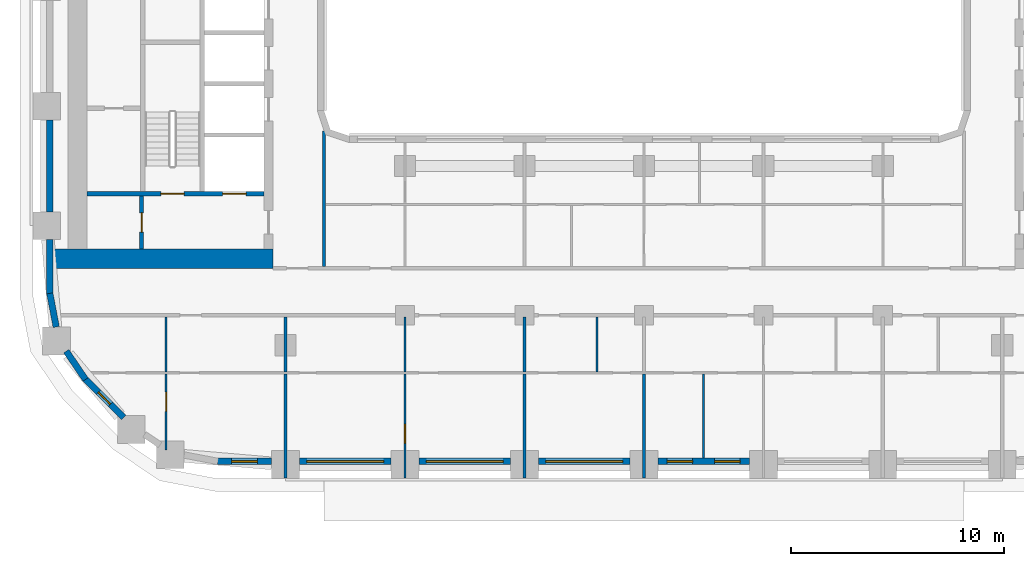
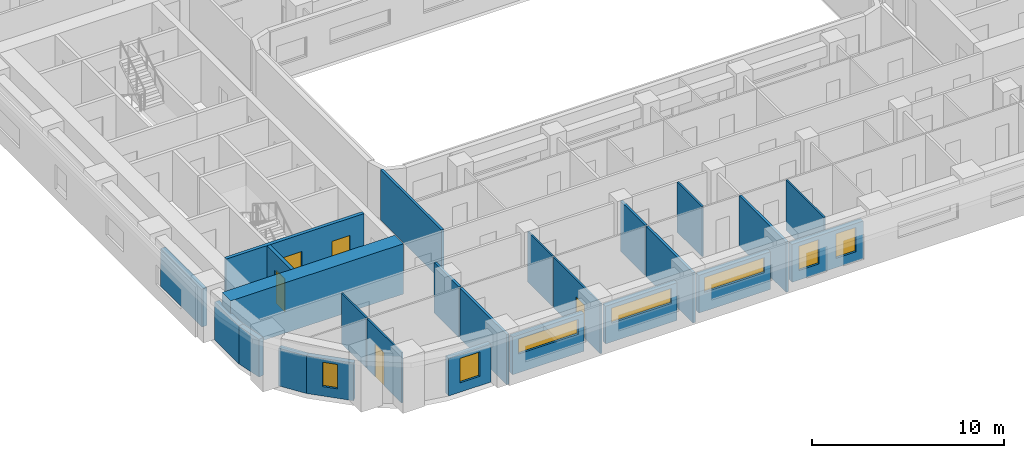
# One storey, part 2 of 21: 25 walls, 7 windows, 5 doors, 12 openings.
"""IFC4 building model written with IfcOpenShell, lengths in metres."""

import ifcopenshell
import ifcopenshell.guid

model = None  # the IFC model being written
_history = None  # IfcOwnerHistory: only IFC2X3 demands one
_inside = {}  # id of a spatial element -> (the spatial element, [elements in it])
_under = {}  # id of a project, library or spatial element -> (it, [spatial elements below it])
_declared = {}  # id of a project -> (the project, [libraries it declares])
_typed = {}  # id of a type object -> (the type object, [elements of that type])
_made_of = {}  # id of a material, layer set ... -> (it, [elements and type objects made of it])


def new_model(schema):
    """Start an empty IFC model of exactly this schema.

    Asked for "IFC4X3", IfcOpenShell would pick the latest addendum, in which some entities
    have other attributes; the version numbers below select the first issue.
    IFC2X3 requires an IfcOwnerHistory on every rooted entity: one is made here for all.
    """
    global model, _history
    if schema == "IFC4X3":
        model = ifcopenshell.file(schema_version=(4, 3, 0, 0))
    else:
        model = ifcopenshell.file(schema=schema)
    _inside.clear()
    _under.clear()
    _declared.clear()
    _typed.clear()
    _made_of.clear()
    _history = None
    if model.schema == "IFC2X3":
        org = make("IfcOrganization", Name="unknown")
        user = make(
            "IfcPersonAndOrganization",
            ThePerson=make("IfcPerson", FamilyName="unknown"),
            TheOrganization=org,
        )
        app = make(
            "IfcApplication",
            ApplicationDeveloper=org,
            Version="unknown",
            ApplicationFullName="unknown",
            ApplicationIdentifier="unknown",
        )
        _history = make(
            "IfcOwnerHistory",
            OwningUser=user,
            OwningApplication=app,
            ChangeAction="ADDED",
            CreationDate=0,
        )
    return model


def make(cls, **values):
    """One entity of the class cls with the attributes given. An attribute that is None is left unset."""
    return model.create_entity(
        cls, **{name: value for name, value in values.items() if value is not None}
    )


def rooted(cls, **values):
    """An entity with a GlobalId (a new one), such as an element, a storey or a relation."""
    return make(cls, GlobalId=ifcopenshell.guid.new(), OwnerHistory=_history, **values)


def si_unit(unit_type, name, prefix=None):
    """IfcSIUnit, for example si_unit("LENGTHUNIT", "METRE", prefix="MILLI")."""
    return make("IfcSIUnit", UnitType=unit_type, Prefix=prefix, Name=name)


def assignment(units):
    """IfcUnitAssignment: the units of a project."""
    return None if units is None else make("IfcUnitAssignment", Units=units)


def point(xyz):
    """IfcCartesianPoint."""
    return None if xyz is None else make("IfcCartesianPoint", Coordinates=xyz)


def direction(xyz):
    """IfcDirection."""
    return None if xyz is None else make("IfcDirection", DirectionRatios=xyz)


def frame(location, z_axis=None, x_axis=None):
    """IfcAxis2Placement3D, a coordinate frame: its origin and axes. An axis left out is left unset."""
    return make(
        "IfcAxis2Placement3D",
        Location=point(location),
        Axis=direction(z_axis),
        RefDirection=direction(x_axis),
    )


def frame_2d(location, x_axis=None):
    """IfcAxis2Placement2D, a coordinate frame in the plane: its origin and x axis."""
    return make(
        "IfcAxis2Placement2D", Location=point(location), RefDirection=direction(x_axis)
    )


def origin():
    """The frame at (0, 0, 0) with its axes left unset."""
    return frame((0.0, 0.0, 0.0))


def place(relative_to, where):
    """IfcLocalPlacement: puts the frame where relative to a parent placement (None: the world)."""
    return make(
        "IfcLocalPlacement", PlacementRelTo=relative_to, RelativePlacement=where
    )


def context(
    kind, dimensions, precision=None, world=None, true_north=None, identifier=None
):
    """IfcGeometricRepresentationContext, for example the 3D "Model" context."""
    return make(
        "IfcGeometricRepresentationContext",
        ContextIdentifier=identifier,
        ContextType=kind,
        CoordinateSpaceDimension=dimensions,
        Precision=precision,
        WorldCoordinateSystem=world,
        TrueNorth=true_north,
    )


def subcontext(parent, identifier, kind, view, scale=None):
    """IfcGeometricRepresentationSubContext, for example "Body" below "Model"."""
    return make(
        "IfcGeometricRepresentationSubContext",
        ContextIdentifier=identifier,
        ContextType=kind,
        ParentContext=parent,
        TargetScale=scale,
        TargetView=view,
    )


def project(units=None, contexts=None):
    """IfcProject with its units and contexts."""
    return rooted(
        "IfcProject",
        Name="project",
        RepresentationContexts=contexts,
        UnitsInContext=assignment(units),
    )


def spatial(cls, under=None, at=None, **own):
    """A site, building, storey or space (cls), placed at a placement, below another one or the project."""
    s = rooted(cls, ObjectPlacement=at, **own)
    if under is not None:
        _under.setdefault(under.id(), (under, []))[1].append(s)
    return s


def profile(cls, at=None, kind="AREA", **sizes):
    """A parametric profile (cls). Its sizes go by their IFC names, for example OverallWidth=200.0."""
    return make(cls, ProfileType=kind, Position=at, **sizes)


def rectangle(**sizes):
    """IfcRectangleProfileDef."""
    return profile("IfcRectangleProfileDef", **sizes)


def extrude(swept, where, along, depth):
    """IfcExtrudedAreaSolid: the profile swept, set in the frame where, extruded along a direction by depth."""
    return make(
        "IfcExtrudedAreaSolid",
        SweptArea=swept,
        Position=where,
        ExtrudedDirection=direction(along),
        Depth=depth,
    )


def shape(context_of_items, identifier, shape_type, items):
    """IfcShapeRepresentation: the items that make up one representation, for example the "Body"."""
    return make(
        "IfcShapeRepresentation",
        ContextOfItems=context_of_items,
        RepresentationIdentifier=identifier,
        RepresentationType=shape_type,
        Items=items,
    )


def material(Name=None, Category=None):
    """IfcMaterial."""
    return make("IfcMaterial", Name=Name, Category=Category)


def layer(
    of_material, thickness, ventilated=None, Name=None, Category=None, Priority=None
):
    """IfcMaterialLayer: one layer of a wall or slab, of a material (None: an air gap)."""
    return make(
        "IfcMaterialLayer",
        Material=of_material,
        LayerThickness=thickness,
        IsVentilated=ventilated,
        Name=Name,
        Category=Category,
        Priority=Priority,
    )


def layer_set(layers, Name=None):
    """IfcMaterialLayerSet."""
    return make("IfcMaterialLayerSet", MaterialLayers=layers, LayerSetName=Name)


def made_of(thing, what):
    """Note that an element or type object is made of a material, layer set ...; save() writes the relation."""
    if what is not None:
        _made_of.setdefault(what.id(), (what, []))[1].append(thing)
    return thing


def type_object(cls, material=None, **own):
    """A type object (cls), such as IfcWallType, which elements share."""
    return made_of(rooted(cls, **own), material)


def element(
    cls,
    number,
    at=None,
    inside=None,
    cuts=None,
    type_object=None,
    material=None,
    context=None,
    identifier="Body",
    shape_type=None,
    held_by="IfcProductDefinitionShape",
    body=None,
    shapes=None,
    **own,
):
    """One element of the class cls, such as IfcWall. Its Tag is "e" and its number.

    at: its placement. inside: the storey or other place that contains it. cuts: it is an
    opening in that element (IfcRelVoidsElement). A single representation is given by context,
    identifier, shape_type and body (its items); several are given by shapes. held_by: the class
    of the entity that holds the representations. save() writes the other relations.
    """
    e = rooted(cls, Tag="e%d" % number, ObjectPlacement=at, **own)
    if body is not None:
        shapes = [shape(context, identifier, shape_type, body)]
    if shapes is not None:
        e.Representation = make(held_by, Representations=shapes)
    if inside is not None:
        _inside.setdefault(inside.id(), (inside, []))[1].append(e)
    if cuts is not None:
        rooted(
            "IfcRelVoidsElement", RelatingBuildingElement=cuts, RelatedOpeningElement=e
        )
    if type_object is not None:
        _typed.setdefault(type_object.id(), (type_object, []))[1].append(e)
    return made_of(e, material)


def fill(opening, filler):
    """IfcRelFillsElement: the door or window that sits in an opening."""
    return rooted(
        "IfcRelFillsElement",
        RelatingOpeningElement=opening,
        RelatedBuildingElement=filler,
    )


def aggregate(whole, parts):
    """IfcRelAggregates: a whole, such as a stair, and the parts it consists of."""
    return rooted("IfcRelAggregates", RelatingObject=whole, RelatedObjects=parts)


def save(model, path):
    """Write the relations noted so far, then the file.

    IfcRelAggregates (storeys below a building ...), IfcRelContainedInSpatialStructure (elements
    in a storey), IfcRelDefinesByType, IfcRelAssociatesMaterial and IfcRelDeclares: one each for
    every whole, place, type object, material and project.
    """
    for whole, parts in _under.values():
        aggregate(whole, parts)
    for where, things in _inside.values():
        rooted(
            "IfcRelContainedInSpatialStructure",
            RelatedElements=things,
            RelatingStructure=where,
        )
    for kind, things in _typed.values():
        rooted("IfcRelDefinesByType", RelatedObjects=things, RelatingType=kind)
    for what, things in _made_of.values():
        rooted("IfcRelAssociatesMaterial", RelatedObjects=things, RelatingMaterial=what)
    for by, libraries in _declared.values():
        rooted("IfcRelDeclares", RelatingContext=by, RelatedDefinitions=libraries)
    model.write(path)


model = new_model("IFC4")

# Units and contexts
model_context = context("Model", 3, precision=1e-05, world=origin(), true_north=direction((0.0, 1.0)))
body_context = subcontext(model_context, "Body", "Model", "MODEL_VIEW")
ifc_project = project(units=[si_unit("LENGTHUNIT", "METRE"), si_unit("AREAUNIT", "SQUARE_METRE"), si_unit("VOLUMEUNIT", "CUBIC_METRE"), si_unit("PLANEANGLEUNIT", "RADIAN"), si_unit("MASSUNIT", "GRAM", prefix="KILO")], contexts=[model_context])

# Site, building, storey
site_placement = place(None, origin())
site = spatial("IfcSite", under=ifc_project, at=site_placement, CompositionType="ELEMENT")
building_placement = place(site_placement, origin())
building = spatial("IfcBuilding", under=site, at=building_placement, Name="Kiln Ring Residences", CompositionType="ELEMENT")
storey_placement = place(building_placement, frame((0.0, 0.0, 100.800048828125)))
storey = spatial("IfcBuildingStorey", under=building, at=storey_placement, Name="L25", CompositionType="ELEMENT", Elevation=100.800048828125)

# Wall, opening, door
ifc_material_1 = material(Name="Gypsum board on steel studs", Category="steel")
ifc_layer_1 = layer(ifc_material_1, 0.199951171875)
ifc_layer_set_1 = layer_set([ifc_layer_1], Name="CORE-PARTITION-200")
wall_type_1 = type_object("IfcWallType", Name="CORE-PARTITION-200", PredefinedType="PARTITIONING", material=ifc_layer_set_1)
wall_1_placement = place(storey_placement, frame((-23.550048828125, -12.300048828125, 0.0), z_axis=(0.0, 0.0, 1.0), x_axis=(0.0, 1.0, 0.0)))
wall_1 = element("IfcWall", 1, at=wall_1_placement, inside=storey, type_object=wall_type_1, Name="Core partition west L25 4", PredefinedType="PARTITIONING", context=body_context, shape_type="SweptSolid", body=[
    extrude(rectangle(XDim=2.5, YDim=0.199951171875, at=frame_2d((1.25, 0.0))), origin(), (0.0, 0.0, 1.0), 3.199951171875),
])
opening_1_placement = place(wall_1_placement, frame((0.800048828125, 0.0, 0.0)))
opening_1 = element("IfcOpeningElement", 2, at=opening_1_placement, cuts=wall_1, Name="Opening L25-CW10", PredefinedType="OPENING", context=body_context, shape_type="SweptSolid", body=[
    extrude(rectangle(XDim=0.89990234375, YDim=2.10009765625, at=frame_2d((0.449951171875, 1.050048828125))), frame((0.0, 0.10986328125, 0.0), z_axis=(0.0, -1.0, 0.0), x_axis=(1.0, 0.0, 0.0)), (0.0, 0.0, 1.0), 0.219970703125),
])
ifc_material_2 = material(Name="Steel door leaf", Category="steel")
door_type_1 = type_object("IfcDoorType", Name="CORE-DOOR-ROOM", OperationType="SINGLE_SWING_LEFT", PredefinedType="DOOR", material=ifc_material_2)
door_1_placement = place(opening_1_placement, origin())
door_1 = element("IfcDoor", 3, at=door_1_placement, inside=storey, type_object=door_type_1, Name="Store L25-CW10", OperationType="SINGLE_SWING_RIGHT", OverallHeight=2.10009765625, OverallWidth=0.89990234375, PredefinedType="DOOR", context=body_context, shape_type="SweptSolid", body=[
    extrude(rectangle(XDim=0.89990234375, YDim=2.10009765625, at=frame_2d((0.449951171875, 1.050048828125))), frame((0.0, 0.02490234375, 0.0), z_axis=(0.0, -1.0, 0.0), x_axis=(1.0, 0.0, 0.0)), (0.0, 0.0, 1.0), 0.050048828125),
])
fill(opening_1, door_1)

# Wall, openings, doors
ifc_material_3 = material(Name="Concrete C40/50", Category="concrete")
ifc_layer_2 = layer(ifc_material_3, 0.199951171875)
ifc_layer_set_2 = layer_set([ifc_layer_2], Name="CORE-WALL-RC200")
wall_type_2 = type_object("IfcWallType", Name="CORE-WALL-RC200", PredefinedType="SHEAR", material=ifc_layer_set_2)
wall_2_placement = place(storey_placement, frame((-17.800048828125, -9.699951171875, 0.0), z_axis=(0.0, 0.0, 1.0), x_axis=(-1.0, 0.0, 0.0)))
wall_2 = element("IfcWall", 4, at=wall_2_placement, inside=storey, type_object=wall_type_2, Name="Core wall west L25 8", PredefinedType="SHEAR", context=body_context, shape_type="SweptSolid", body=[
    extrude(rectangle(XDim=8.300048828125, YDim=0.199951171875, at=frame_2d((4.14990234375, 0.0))), origin(), (0.0, 0.0, 1.0), 3.199951171875),
])
opening_2_placement = place(wall_2_placement, frame((0.85009765625, 0.0, 0.0)))
opening_2 = element("IfcOpeningElement", 5, at=opening_2_placement, cuts=wall_2, Name="Opening L25-CW01", PredefinedType="OPENING", context=body_context, shape_type="SweptSolid", body=[
    extrude(rectangle(XDim=1.10009765625, YDim=2.10009765625, at=frame_2d((0.550048828125, 1.050048828125))), frame((0.0, 0.10986328125, 0.0), z_axis=(0.0, -1.0, 0.0), x_axis=(1.0, 0.0, 0.0)), (0.0, 0.0, 1.0), 0.219970703125),
])
opening_3_placement = place(wall_2_placement, frame((3.75, 0.0, 0.0)))
opening_3 = element("IfcOpeningElement", 6, at=opening_3_placement, cuts=wall_2, Name="Opening L25-CW12", PredefinedType="OPENING", context=body_context, shape_type="SweptSolid", body=[
    extrude(rectangle(XDim=1.10009765625, YDim=2.10009765625, at=frame_2d((0.550048828125, 1.050048828125))), frame((0.0, 0.10986328125, 0.0), z_axis=(0.0, -1.0, 0.0), x_axis=(1.0, 0.0, 0.0)), (0.0, 0.0, 1.0), 0.219970703125),
])
ifc_material_4 = material(Name="Steel door leaf", Category="steel")
door_type_2 = type_object("IfcDoorType", Name="CORE-DOOR-LD", OperationType="DOUBLE_DOOR_SLIDING", PredefinedType="DOOR", material=ifc_material_4)
door_2_placement = place(opening_2_placement, origin())
door_2 = element("IfcDoor", 7, at=door_2_placement, inside=storey, type_object=door_type_2, Name="LD W-SV L25-CW01", OperationType="DOUBLE_DOOR_SLIDING", OverallHeight=2.10009765625, OverallWidth=1.10009765625, PredefinedType="DOOR", context=body_context, shape_type="SweptSolid", body=[
    extrude(rectangle(XDim=1.10009765625, YDim=2.10009765625, at=frame_2d((0.550048828125, 1.050048828125))), frame((0.0, 0.02490234375, 0.0), z_axis=(0.0, -1.0, 0.0), x_axis=(1.0, 0.0, 0.0)), (0.0, 0.0, 1.0), 0.050048828125),
])
fill(opening_2, door_2)
ifc_material_5 = material(Name="Steel door leaf", Category="steel")
door_type_3 = type_object("IfcDoorType", Name="CORE-DOOR-STAIR", OperationType="SINGLE_SWING_LEFT", PredefinedType="DOOR", material=ifc_material_5)
door_3_placement = place(opening_3_placement, origin())
door_3 = element("IfcDoor", 8, at=door_3_placement, inside=storey, type_object=door_type_3, Name="Stair W-STS L25-CW12", OperationType="SINGLE_SWING_LEFT", OverallHeight=2.10009765625, OverallWidth=1.10009765625, PredefinedType="DOOR", context=body_context, shape_type="SweptSolid", body=[
    extrude(rectangle(XDim=1.10009765625, YDim=2.10009765625, at=frame_2d((0.550048828125, 1.050048828125))), frame((0.0, 0.02490234375, 0.0), z_axis=(0.0, -1.0, 0.0), x_axis=(1.0, 0.0, 0.0)), (0.0, 0.0, 1.0), 0.050048828125),
])
fill(opening_3, door_3)

# Wall
ifc_material_6 = material(Name="Concrete C60/75", Category="concrete")
ifc_layer_3 = layer(ifc_material_6, 0.89990234375)
ifc_layer_set_3 = layer_set([ifc_layer_3], Name="CORE-WALL-RC900")
wall_type_3 = type_object("IfcWallType", Name="CORE-WALL-RC900", PredefinedType="SHEAR", material=ifc_layer_set_3)
wall_3_placement = place(storey_placement, frame((-17.39990234375, -12.75, 0.0), z_axis=(0.0, 0.0, 1.0), x_axis=(-1.0, 0.0, 0.0)))
element("IfcWall", 9, at=wall_3_placement, inside=storey, type_object=wall_type_3, Name="Core wall west L25 5", PredefinedType="SHEAR", context=body_context, shape_type="SweptSolid", body=[
    extrude(rectangle(XDim=10.400146484375, YDim=0.89990234375, at=frame_2d((5.2001953125, 0.0))), origin(), (0.0, 0.0, 1.0), 3.199951171875),
])

# Wall, opening, window
ifc_material_7 = material(Name="Brick masonry, dark clay brick", Category="masonry")
ifc_layer_4 = layer(ifc_material_7, 0.300048828125)
ifc_layer_set_4 = layer_set([ifc_layer_4], Name="EW-300 BRICK WALL")
wall_type_4 = type_object("IfcWallType", Name="EW-300 BRICK WALL", PredefinedType="SOLIDWALL", material=ifc_layer_set_4)
wall_4_placement = place(storey_placement, frame((-26.19677734375, -18.390869140625, 0.0), z_axis=(0.0, 0.0, 1.0), x_axis=(0.707058908279, -0.707154650853, 0.0)))
wall_4 = element("IfcWall", 10, at=wall_4_placement, inside=storey, type_object=wall_type_4, Name="Facade wall L25 1", PredefinedType="SOLIDWALL", context=body_context, shape_type="SweptSolid", body=[
    extrude(rectangle(XDim=2.550048828125, YDim=0.300048828125, at=frame_2d((1.27490234375, 0.0))), origin(), (0.0, 0.0, 1.0), 2.39990234375),
])
opening_4_placement = place(wall_4_placement, frame((0.875, 0.0, 0.60009765625)))
opening_4 = element("IfcOpeningElement", 11, at=opening_4_placement, cuts=wall_4, Name="Opening W5", PredefinedType="OPENING", context=body_context, shape_type="SweptSolid", body=[
    extrude(rectangle(XDim=0.800048828125, YDim=1.550048828125, at=frame_2d((0.39990234375, 0.77490234375))), frame((0.0, 0.159912109375, 0.0), z_axis=(0.0, -1.0, 0.0), x_axis=(1.0, 0.0, 0.0)), (0.0, 0.0, 1.0), 0.320068359375),
])
ifc_material_8 = material(Name="Aluminium frame with double glazing", Category="aluminium")
window_type_1 = type_object("IfcWindowType", Name="WINDOW 800 x 1550", PartitioningType="SINGLE_PANEL", PredefinedType="WINDOW", material=ifc_material_8)
window_1_placement = place(opening_4_placement, origin())
window_1 = element("IfcWindow", 12, at=window_1_placement, inside=storey, type_object=window_type_1, Name="Window L25 1", OverallHeight=1.550048828125, OverallWidth=0.800048828125, PartitioningType="SINGLE_PANEL", PredefinedType="WINDOW", context=body_context, shape_type="SweptSolid", body=[
    extrude(rectangle(XDim=0.800048828125, YDim=1.550048828125, at=frame_2d((0.39990234375, 0.77490234375))), frame((0.0, 0.030029296875, 0.0), z_axis=(0.0, -1.0, 0.0), x_axis=(1.0, 0.0, 0.0)), (0.0, 0.0, 1.0), 0.06005859375),
])
fill(opening_4, window_1)

wall_5_placement = place(storey_placement, frame((-20.0, -22.25, 0.0), z_axis=(0.0, 0.0, 1.0), x_axis=(1.0, 0.0, 0.0)))
wall_5 = element("IfcWall", 13, at=wall_5_placement, inside=storey, type_object=wall_type_4, Name="Facade wall L25 4", PredefinedType="SOLIDWALL", context=body_context, shape_type="SweptSolid", body=[
    extrude(rectangle(XDim=2.550048828125, YDim=0.300048828125, at=frame_2d((1.27490234375, 0.0))), origin(), (0.0, 0.0, 1.0), 2.39990234375),
])
opening_5_placement = place(wall_5_placement, frame((0.675048828125, 0.0, 0.60009765625)))
opening_5 = element("IfcOpeningElement", 14, at=opening_5_placement, cuts=wall_5, Name="Opening W1", PredefinedType="OPENING", context=body_context, shape_type="SweptSolid", body=[
    extrude(rectangle(XDim=1.199951171875, YDim=1.550048828125, at=frame_2d((0.60009765625, 0.77490234375))), frame((0.0, 0.159912109375, 0.0), z_axis=(0.0, -1.0, 0.0), x_axis=(1.0, 0.0, 0.0)), (0.0, 0.0, 1.0), 0.320068359375),
])
ifc_material_9 = material(Name="Aluminium frame with double glazing", Category="aluminium")
window_type_2 = type_object("IfcWindowType", Name="WINDOW 1200 x 1550", PartitioningType="SINGLE_PANEL", PredefinedType="WINDOW", material=ifc_material_9)
window_2_placement = place(opening_5_placement, origin())
window_2 = element("IfcWindow", 15, at=window_2_placement, inside=storey, type_object=window_type_2, Name="Window L25 2", OverallHeight=1.550048828125, OverallWidth=1.199951171875, PartitioningType="SINGLE_PANEL", PredefinedType="WINDOW", context=body_context, shape_type="SweptSolid", body=[
    extrude(rectangle(XDim=1.199951171875, YDim=1.550048828125, at=frame_2d((0.60009765625, 0.77490234375))), frame((0.0, 0.030029296875, 0.0), z_axis=(0.0, -1.0, 0.0), x_axis=(1.0, 0.0, 0.0)), (0.0, 0.0, 1.0), 0.06005859375),
])
fill(opening_5, window_2)

wall_6_placement = place(storey_placement, frame((-16.14990234375, -22.25, 0.0), z_axis=(0.0, 0.0, 1.0), x_axis=(1.0, 0.0, 0.0)))
wall_6 = element("IfcWall", 16, at=wall_6_placement, inside=storey, type_object=wall_type_4, Name="Facade wall L25 5", PredefinedType="SOLIDWALL", context=body_context, shape_type="SweptSolid", body=[
    extrude(rectangle(XDim=4.2998046875, YDim=0.300048828125, at=frame_2d((2.14990234375, 0.0))), origin(), (0.0, 0.0, 1.0), 2.39990234375),
])
opening_6_placement = place(wall_6_placement, frame((0.35009765625, 0.0, 1.199951171875)))
opening_6 = element("IfcOpeningElement", 17, at=opening_6_placement, cuts=wall_6, Name="Opening W4", PredefinedType="OPENING", context=body_context, shape_type="SweptSolid", body=[
    extrude(rectangle(XDim=3.60009765625, YDim=0.949951171875, at=frame_2d((1.800048828125, 0.47509765625))), frame((0.0, 0.159912109375, 0.0), z_axis=(0.0, -1.0, 0.0), x_axis=(1.0, 0.0, 0.0)), (0.0, 0.0, 1.0), 0.320068359375),
])
ifc_material_10 = material(Name="Aluminium frame with double glazing", Category="aluminium")
window_type_3 = type_object("IfcWindowType", Name="WINDOW 3600 x 950", PartitioningType="SINGLE_PANEL", PredefinedType="WINDOW", material=ifc_material_10)
window_3_placement = place(opening_6_placement, origin())
window_3 = element("IfcWindow", 18, at=window_3_placement, inside=storey, type_object=window_type_3, Name="Window L25 3", OverallHeight=0.949951171875, OverallWidth=3.60009765625, PartitioningType="SINGLE_PANEL", PredefinedType="WINDOW", context=body_context, shape_type="SweptSolid", body=[
    extrude(rectangle(XDim=3.60009765625, YDim=0.949951171875, at=frame_2d((1.800048828125, 0.47509765625))), frame((0.0, 0.030029296875, 0.0), z_axis=(0.0, -1.0, 0.0), x_axis=(1.0, 0.0, 0.0)), (0.0, 0.0, 1.0), 0.06005859375),
])
fill(opening_6, window_3)

wall_7_placement = place(storey_placement, frame((-10.550048828125, -22.25, 0.0), z_axis=(0.0, 0.0, 1.0), x_axis=(1.0, 0.0, 0.0)))
wall_7 = element("IfcWall", 19, at=wall_7_placement, inside=storey, type_object=wall_type_4, Name="Facade wall L25 6", PredefinedType="SOLIDWALL", context=body_context, shape_type="SweptSolid", body=[
    extrude(rectangle(XDim=4.300048828125, YDim=0.300048828125, at=frame_2d((2.14990234375, 0.0))), origin(), (0.0, 0.0, 1.0), 2.39990234375),
])
opening_7_placement = place(wall_7_placement, frame((0.35009765625, 0.0, 1.199951171875)))
opening_7 = element("IfcOpeningElement", 20, at=opening_7_placement, cuts=wall_7, Name="Opening W4", PredefinedType="OPENING", context=body_context, shape_type="SweptSolid", body=[
    extrude(rectangle(XDim=3.60009765625, YDim=0.949951171875, at=frame_2d((1.800048828125, 0.47509765625))), frame((0.0, 0.159912109375, 0.0), z_axis=(0.0, -1.0, 0.0), x_axis=(1.0, 0.0, 0.0)), (0.0, 0.0, 1.0), 0.320068359375),
])
window_4_placement = place(opening_7_placement, origin())
window_4 = element("IfcWindow", 21, at=window_4_placement, inside=storey, type_object=window_type_3, Name="Window L25 4", OverallHeight=0.949951171875, OverallWidth=3.60009765625, PartitioningType="SINGLE_PANEL", PredefinedType="WINDOW", context=body_context, shape_type="SweptSolid", body=[
    extrude(rectangle(XDim=3.60009765625, YDim=0.949951171875, at=frame_2d((1.800048828125, 0.47509765625))), frame((0.0, 0.030029296875, 0.0), z_axis=(0.0, -1.0, 0.0), x_axis=(1.0, 0.0, 0.0)), (0.0, 0.0, 1.0), 0.06005859375),
])
fill(opening_7, window_4)

wall_8_placement = place(storey_placement, frame((-4.949951171875, -22.25, 0.0), z_axis=(0.0, 0.0, 1.0), x_axis=(1.0, 0.0, 0.0)))
wall_8 = element("IfcWall", 22, at=wall_8_placement, inside=storey, type_object=wall_type_4, Name="Facade wall L25 7", PredefinedType="SOLIDWALL", context=body_context, shape_type="SweptSolid", body=[
    extrude(rectangle(XDim=4.300048828125, YDim=0.300048828125, at=frame_2d((2.14990234375, 0.0))), origin(), (0.0, 0.0, 1.0), 2.39990234375),
])
opening_8_placement = place(wall_8_placement, frame((0.35009765625, 0.0, 1.199951171875)))
opening_8 = element("IfcOpeningElement", 23, at=opening_8_placement, cuts=wall_8, Name="Opening W4", PredefinedType="OPENING", context=body_context, shape_type="SweptSolid", body=[
    extrude(rectangle(XDim=3.60009765625, YDim=0.949951171875, at=frame_2d((1.800048828125, 0.47509765625))), frame((0.0, 0.159912109375, 0.0), z_axis=(0.0, -1.0, 0.0), x_axis=(1.0, 0.0, 0.0)), (0.0, 0.0, 1.0), 0.320068359375),
])
window_5_placement = place(opening_8_placement, origin())
window_5 = element("IfcWindow", 24, at=window_5_placement, inside=storey, type_object=window_type_3, Name="Window L25 5", OverallHeight=0.949951171875, OverallWidth=3.60009765625, PartitioningType="SINGLE_PANEL", PredefinedType="WINDOW", context=body_context, shape_type="SweptSolid", body=[
    extrude(rectangle(XDim=3.60009765625, YDim=0.949951171875, at=frame_2d((1.800048828125, 0.47509765625))), frame((0.0, 0.030029296875, 0.0), z_axis=(0.0, -1.0, 0.0), x_axis=(1.0, 0.0, 0.0)), (0.0, 0.0, 1.0), 0.06005859375),
])
fill(opening_8, window_5)

# Wall, openings, windows
wall_9_placement = place(storey_placement, frame((0.64990234375, -22.25, 0.0), z_axis=(0.0, 0.0, 1.0), x_axis=(1.0, 0.0, 0.0)))
wall_9 = element("IfcWall", 25, at=wall_9_placement, inside=storey, type_object=wall_type_4, Name="Facade wall L25 8", PredefinedType="SOLIDWALL", context=body_context, shape_type="SweptSolid", body=[
    extrude(rectangle(XDim=4.300048828125, YDim=0.300048828125, at=frame_2d((2.14990234375, 0.0))), origin(), (0.0, 0.0, 1.0), 2.39990234375),
])
opening_9_placement = place(wall_9_placement, frame((0.4375, 0.0, 0.60009765625)))
opening_9 = element("IfcOpeningElement", 26, at=opening_9_placement, cuts=wall_9, Name="Opening W1", PredefinedType="OPENING", context=body_context, shape_type="SweptSolid", body=[
    extrude(rectangle(XDim=1.199951171875, YDim=1.550048828125, at=frame_2d((0.60009765625, 0.77490234375))), frame((0.0, 0.159912109375, 0.0), z_axis=(0.0, -1.0, 0.0), x_axis=(1.0, 0.0, 0.0)), (0.0, 0.0, 1.0), 0.320068359375),
])
opening_10_placement = place(wall_9_placement, frame((2.66259765625, 0.0, 0.60009765625)))
opening_10 = element("IfcOpeningElement", 27, at=opening_10_placement, cuts=wall_9, Name="Opening W1", PredefinedType="OPENING", context=body_context, shape_type="SweptSolid", body=[
    extrude(rectangle(XDim=1.199951171875, YDim=1.550048828125, at=frame_2d((0.60009765625, 0.77490234375))), frame((0.0, 0.159912109375, 0.0), z_axis=(0.0, -1.0, 0.0), x_axis=(1.0, 0.0, 0.0)), (0.0, 0.0, 1.0), 0.320068359375),
])
window_6_placement = place(opening_9_placement, origin())
window_6 = element("IfcWindow", 28, at=window_6_placement, inside=storey, type_object=window_type_2, Name="Window L25 6", OverallHeight=1.550048828125, OverallWidth=1.199951171875, PartitioningType="SINGLE_PANEL", PredefinedType="WINDOW", context=body_context, shape_type="SweptSolid", body=[
    extrude(rectangle(XDim=1.199951171875, YDim=1.550048828125, at=frame_2d((0.60009765625, 0.77490234375))), frame((0.0, 0.030029296875, 0.0), z_axis=(0.0, -1.0, 0.0), x_axis=(1.0, 0.0, 0.0)), (0.0, 0.0, 1.0), 0.06005859375),
])
fill(opening_9, window_6)
window_7_placement = place(opening_10_placement, origin())
window_7 = element("IfcWindow", 29, at=window_7_placement, inside=storey, type_object=window_type_2, Name="Window L25 7", OverallHeight=1.550048828125, OverallWidth=1.199951171875, PartitioningType="SINGLE_PANEL", PredefinedType="WINDOW", context=body_context, shape_type="SweptSolid", body=[
    extrude(rectangle(XDim=1.199951171875, YDim=1.550048828125, at=frame_2d((0.60009765625, 0.77490234375))), frame((0.0, 0.030029296875, 0.0), z_axis=(0.0, -1.0, 0.0), x_axis=(1.0, 0.0, 0.0)), (0.0, 0.0, 1.0), 0.06005859375),
])
fill(opening_10, window_7)

# Walls
wall_10_placement = place(storey_placement, frame((-27.85009765625, -6.25, 0.0), z_axis=(0.0, 0.0, 1.0), x_axis=(0.0, -1.0, 0.0)))
element("IfcWall", 30, at=wall_10_placement, inside=storey, type_object=wall_type_4, Name="Facade wall L25 45", PredefinedType="SOLIDWALL", context=body_context, shape_type="SweptSolid", body=[
    extrude(rectangle(XDim=4.300048828125, YDim=0.300048828125, at=frame_2d((2.14990234375, 0.0))), origin(), (0.0, 0.0, 1.0), 2.39990234375),
])
wall_11_placement = place(storey_placement, frame((-27.85009765625, -11.85009765625, 0.0), z_axis=(0.0, 0.0, 1.0), x_axis=(0.0, -1.0, 0.0)))
element("IfcWall", 31, at=wall_11_placement, inside=storey, type_object=wall_type_4, Name="Facade wall L25 46", PredefinedType="SOLIDWALL", context=body_context, shape_type="SweptSolid", body=[
    extrude(rectangle(XDim=2.5498046875, YDim=0.300048828125, at=frame_2d((1.27490234375, 0.0))), origin(), (0.0, 0.0, 1.0), 2.39990234375),
])
for number, where, z_axis, x_axis, name in (
    (32, (-27.8525390625, -14.371826171875, 0.0), (0.0, 0.0, 1.0), (0.187279751651, -0.982306619453, 0.0), "Facade wall L25 47"),
    (33, (-27.08154296875, -17.08447265625, 0.0), (0.0, 0.0, 1.0), (0.562010605531, -0.827130025613, 0.0), "Facade wall L25 48"),
):
    element("IfcWall", number, at=place(storey_placement, frame(where, z_axis=z_axis, x_axis=x_axis)), inside=storey, type_object=wall_type_4, Name=name, PredefinedType="SOLIDWALL", context=body_context, shape_type="SweptSolid", body=[
        extrude(rectangle(XDim=1.60595703125, YDim=0.300048828125, at=frame_2d((0.802978515625, 0.0))), origin(), (0.0, 0.0, 1.0), 2.39990234375),
    ])

# Wall, opening, door
ifc_material_11 = material(Name="Gypsum board on steel studs", Category="steel")
ifc_layer_5 = layer(ifc_material_11, 0.10009765625)
ifc_layer_set_5 = layer_set([ifc_layer_5], Name="PARTITION-100")
wall_type_5 = type_object("IfcWallType", Name="PARTITION-100", PredefinedType="PARTITIONING", material=ifc_layer_set_5)
wall_12_placement = place(storey_placement, frame((-22.39990234375, -21.719970703125, 0.0), z_axis=(0.0, 0.0, 1.0), x_axis=(0.0, 1.0, 0.0)))
wall_12 = element("IfcWall", 34, at=wall_12_placement, inside=storey, type_object=wall_type_5, Name="Partition 008", PredefinedType="PARTITIONING", context=body_context, shape_type="SweptSolid", body=[
    extrude(rectangle(XDim=3.570068359375, YDim=0.10009765625, at=frame_2d((1.78515625, 0.0))), origin(), (0.0, 0.0, 1.0), 3.199951171875),
])
opening_11_placement = place(wall_12_placement, frame((1.820068359375, 0.0, 0.0)))
opening_11 = element("IfcOpeningElement", 35, at=opening_11_placement, cuts=wall_12, Name="Opening L25-D060", PredefinedType="OPENING", context=body_context, shape_type="SweptSolid", body=[
    extrude(rectangle(XDim=0.89990234375, YDim=2.10009765625, at=frame_2d((0.449951171875, 1.050048828125))), frame((0.0, 0.06005859375, 0.0), z_axis=(0.0, -1.0, 0.0), x_axis=(1.0, 0.0, 0.0)), (0.0, 0.0, 1.0), 0.1201171875),
])
ifc_material_12 = material(Name="Timber door leaf", Category="wood")
door_type_4 = type_object("IfcDoorType", Name="FLAT-DOOR-900-PL", OperationType="SINGLE_SWING_LEFT", PredefinedType="DOOR", material=ifc_material_12)
door_4_placement = place(opening_11_placement, origin())
door_4 = element("IfcDoor", 36, at=door_4_placement, inside=storey, type_object=door_type_4, Name="Door L25-D060", OperationType="SINGLE_SWING_LEFT", OverallHeight=2.10009765625, OverallWidth=0.89990234375, PredefinedType="DOOR", context=body_context, shape_type="SweptSolid", body=[
    extrude(rectangle(XDim=0.89990234375, YDim=2.10009765625, at=frame_2d((0.449951171875, 1.050048828125))), frame((0.0, 0.02490234375, 0.0), z_axis=(0.0, -1.0, 0.0), x_axis=(1.0, 0.0, 0.0)), (0.0, 0.0, 1.0), 0.050048828125),
])
fill(opening_11, door_4)

# Wall
wall_13_placement = place(storey_placement, frame((-22.39990234375, -18.050048828125, 0.0), z_axis=(0.0, 0.0, 1.0), x_axis=(0.0, 1.0, 0.0)))
element("IfcWall", 37, at=wall_13_placement, inside=storey, type_object=wall_type_5, Name="Partition 009", PredefinedType="PARTITIONING", context=body_context, shape_type="SweptSolid", body=[
    extrude(rectangle(XDim=2.574951171875, YDim=0.10009765625, at=frame_2d((1.28759765625, 0.0))), origin(), (0.0, 0.0, 1.0), 3.199951171875),
])

# Wall, opening, door
wall_14_placement = place(storey_placement, frame((-11.199951171875, -23.030029296875, 0.0), z_axis=(0.0, 0.0, 1.0), x_axis=(0.0, 1.0, 0.0)))
wall_14 = element("IfcWall", 38, at=wall_14_placement, inside=storey, type_object=wall_type_5, Name="Partition 019", PredefinedType="PARTITIONING", context=body_context, shape_type="SweptSolid", body=[
    extrude(rectangle(XDim=4.880126953125, YDim=0.10009765625, at=frame_2d((2.43994140625, 0.0))), origin(), (0.0, 0.0, 1.0), 3.199951171875),
])
opening_12_placement = place(wall_14_placement, frame((1.6298828125, 0.0, 0.0)))
opening_12 = element("IfcOpeningElement", 39, at=opening_12_placement, cuts=wall_14, Name="Opening L25-D064", PredefinedType="OPENING", context=body_context, shape_type="SweptSolid", body=[
    extrude(rectangle(XDim=0.89990234375, YDim=2.10009765625, at=frame_2d((0.449951171875, 1.050048828125))), frame((0.0, 0.06005859375, 0.0), z_axis=(0.0, -1.0, 0.0), x_axis=(1.0, 0.0, 0.0)), (0.0, 0.0, 1.0), 0.1201171875),
])
door_5_placement = place(opening_12_placement, origin())
door_5 = element("IfcDoor", 40, at=door_5_placement, inside=storey, type_object=door_type_4, Name="Door L25-D064", OperationType="SINGLE_SWING_RIGHT", OverallHeight=2.10009765625, OverallWidth=0.89990234375, PredefinedType="DOOR", context=body_context, shape_type="SweptSolid", body=[
    extrude(rectangle(XDim=0.89990234375, YDim=2.10009765625, at=frame_2d((0.449951171875, 1.050048828125))), frame((0.0, 0.02490234375, 0.0), z_axis=(0.0, -1.0, 0.0), x_axis=(1.0, 0.0, 0.0)), (0.0, 0.0, 1.0), 0.050048828125),
])
fill(opening_12, door_5)

# Walls
for number, where, z_axis, x_axis, name in (
    (41, (-11.199951171875, -18.050048828125, 0.0), (0.0, 0.0, 1.0), (0.0, 1.0, 0.0), "Partition 020"),
    (42, (-2.199951171875, -18.050048828125, 0.0), (0.0, 0.0, 1.0), (0.0, 1.0, 0.0), "Partition 039"),
):
    element("IfcWall", number, at=place(storey_placement, frame(where, z_axis=z_axis, x_axis=x_axis)), inside=storey, type_object=wall_type_5, Name=name, PredefinedType="PARTITIONING", context=body_context, shape_type="SweptSolid", body=[
        extrude(rectangle(XDim=2.574951171875, YDim=0.10009765625, at=frame_2d((1.28759765625, 0.0))), origin(), (0.0, 0.0, 1.0), 3.199951171875),
    ])
wall_15_placement = place(storey_placement, frame((2.800048828125, -22.080078125, 0.0), z_axis=(0.0, 0.0, 1.0), x_axis=(0.0, 1.0, 0.0)))
element("IfcWall", 43, at=wall_15_placement, inside=storey, type_object=wall_type_5, Name="Partition 050", PredefinedType="PARTITIONING", context=body_context, shape_type="SweptSolid", body=[
    extrude(rectangle(XDim=3.93017578125, YDim=0.10009765625, at=frame_2d((1.965087890625, 0.0))), origin(), (0.0, 0.0, 1.0), 3.199951171875),
])
ifc_material_13 = material(Name="Brick masonry partition", Category="masonry")
ifc_layer_6 = layer(ifc_material_13, 0.14990234375)
ifc_layer_set_6 = layer_set([ifc_layer_6], Name="PARTITION-150-ei60")
wall_type_6 = type_object("IfcWallType", Name="PARTITION-150-ei60", PredefinedType="PARTITIONING", material=ifc_layer_set_6)
wall_16_placement = place(storey_placement, frame((-16.800048828125, -23.030029296875, 0.0), z_axis=(0.0, 0.0, 1.0), x_axis=(0.0, 1.0, 0.0)))
element("IfcWall", 44, at=wall_16_placement, inside=storey, type_object=wall_type_6, Name="Partition 012", PredefinedType="PARTITIONING", context=body_context, shape_type="SweptSolid", body=[
    extrude(rectangle(XDim=4.880126953125, YDim=0.14990234375, at=frame_2d((2.43994140625, 0.0))), origin(), (0.0, 0.0, 1.0), 3.199951171875),
])
wall_17_placement = place(storey_placement, frame((-16.800048828125, -18.050048828125, 0.0), z_axis=(0.0, 0.0, 1.0), x_axis=(0.0, 1.0, 0.0)))
element("IfcWall", 45, at=wall_17_placement, inside=storey, type_object=wall_type_6, Name="Partition 013", PredefinedType="PARTITIONING", context=body_context, shape_type="SweptSolid", body=[
    extrude(rectangle(XDim=2.574951171875, YDim=0.14990234375, at=frame_2d((1.28759765625, 0.0))), origin(), (0.0, 0.0, 1.0), 3.199951171875),
])
wall_18_placement = place(storey_placement, frame((-15.0, -13.125, 0.0), z_axis=(0.0, 0.0, 1.0), x_axis=(0.0, 1.0, 0.0)))
element("IfcWall", 46, at=wall_18_placement, inside=storey, type_object=wall_type_6, Name="Partition 016", PredefinedType="PARTITIONING", context=body_context, shape_type="SweptSolid", body=[
    extrude(rectangle(XDim=6.356201171875, YDim=0.14990234375, at=frame_2d((3.17822265625, 0.0))), origin(), (0.0, 0.0, 1.0), 3.199951171875),
])
wall_19_placement = place(storey_placement, frame((-5.60009765625, -23.030029296875, 0.0), z_axis=(0.0, 0.0, 1.0), x_axis=(0.0, 1.0, 0.0)))
element("IfcWall", 47, at=wall_19_placement, inside=storey, type_object=wall_type_6, Name="Partition 028", PredefinedType="PARTITIONING", context=body_context, shape_type="SweptSolid", body=[
    extrude(rectangle(XDim=4.880126953125, YDim=0.14990234375, at=frame_2d((2.43994140625, 0.0))), origin(), (0.0, 0.0, 1.0), 3.199951171875),
])
wall_20_placement = place(storey_placement, frame((-5.60009765625, -18.050048828125, 0.0), z_axis=(0.0, 0.0, 1.0), x_axis=(0.0, 1.0, 0.0)))
element("IfcWall", 48, at=wall_20_placement, inside=storey, type_object=wall_type_6, Name="Partition 029", PredefinedType="PARTITIONING", context=body_context, shape_type="SweptSolid", body=[
    extrude(rectangle(XDim=2.574951171875, YDim=0.14990234375, at=frame_2d((1.28759765625, 0.0))), origin(), (0.0, 0.0, 1.0), 3.199951171875),
])
wall_21_placement = place(storey_placement, frame((0.0, -23.030029296875, 0.0), z_axis=(0.0, 0.0, 1.0), x_axis=(0.0, 1.0, 0.0)))
element("IfcWall", 49, at=wall_21_placement, inside=storey, type_object=wall_type_6, Name="Partition 042", PredefinedType="PARTITIONING", context=body_context, shape_type="SweptSolid", body=[
    extrude(rectangle(XDim=4.880126953125, YDim=0.14990234375, at=frame_2d((2.43994140625, 0.0))), origin(), (0.0, 0.0, 1.0), 3.199951171875),
])

save(model, "model.ifc")
